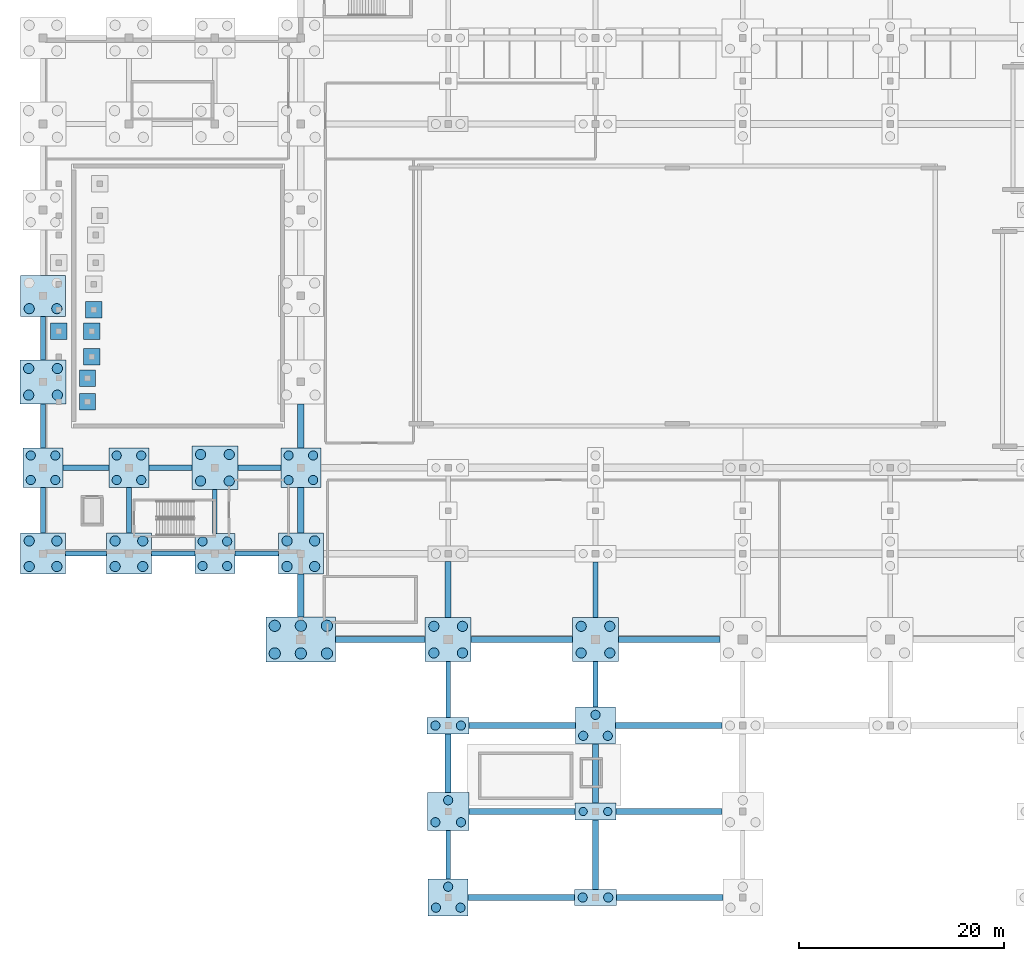
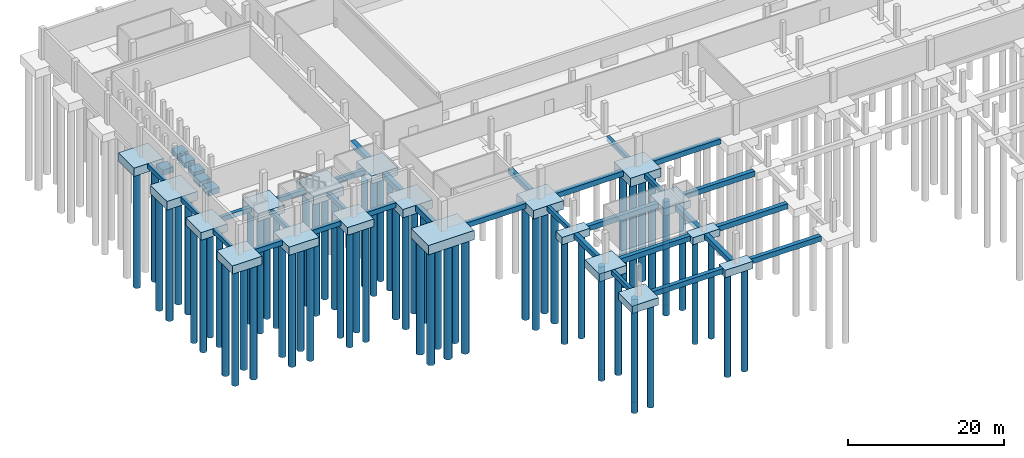
# One storey, part 1 of 26: 67 piles, 56 footings.
"""IFC4 building model written with IfcOpenShell, lengths in metres."""

from ifc_helpers import new_model, si_unit, direction, frame, origin, origin_2d, place, context, subcontext, project, spatial, rectangle, circle, extrude, material, material_profile, profile_set, type_object, element, save


model = new_model("IFC4")

# Units and contexts
model_context = context("Model", 3, precision=1e-05, world=origin(), true_north=direction((0.0, 1.0)))
body_context = subcontext(model_context, "Body", "Model", "MODEL_VIEW")
ifc_project = project(units=[si_unit("LENGTHUNIT", "METRE"), si_unit("AREAUNIT", "SQUARE_METRE"), si_unit("VOLUMEUNIT", "CUBIC_METRE"), si_unit("PLANEANGLEUNIT", "RADIAN"), si_unit("MASSUNIT", "GRAM", prefix="KILO"), si_unit("THERMODYNAMICTEMPERATUREUNIT", "KELVIN")], contexts=[model_context])

# Site, building, storey
site_placement = place(None, origin())
site = spatial("IfcSite", under=ifc_project, at=site_placement, CompositionType="ELEMENT")
building_placement = place(site_placement, origin())
building = spatial("IfcBuilding", under=site, at=building_placement, Name="Nduvali Passage Aquatics Centre", CompositionType="ELEMENT")
storey_placement = place(building_placement, frame((0.0, 0.0, -4.800048828125)))
storey = spatial("IfcBuildingStorey", under=building, at=storey_placement, Name="B01", CompositionType="ELEMENT", Elevation=-4.800048828125)

# Footings
ifc_material = material(Name="Concrete C40/50", Category="concrete")
footing_type_1 = type_object("IfcFootingType", Name="STR-GB-1", PredefinedType="FOOTING_BEAM", material=ifc_material)
for number, where, z_axis, x_axis, name in (
    (1, (46.75, 0.0, -0.7998046875), (0.0, 0.0, 1.0), (1.0, 0.0, 0.0), "Ground Beam X-0001"),
    (2, (61.25, 0.0, -0.7998046875), (0.0, 0.0, 1.0), (1.0, 0.0, 0.0), "Ground Beam X-0002"),
):
    element("IfcFooting", number, at=place(storey_placement, frame(where, z_axis=z_axis, x_axis=x_axis)), inside=storey, type_object=footing_type_1, Name=name, PredefinedType="FOOTING_BEAM", context=body_context, shape_type="SweptSolid", body=[
        extrude(rectangle(XDim=10.39990234375, YDim=0.60009765625, at=origin_2d()), origin(), (0.0, 0.0, 1.0), 0.800048828125),
    ])
for number, where, z_axis, x_axis, name in (
    (3, (46.8125, 8.39990234375, -0.7998046875), (0.0, 0.0, 1.0), (1.0, 0.0, 0.0), "Ground Beam X-0006"),
    (4, (61.1875, 8.39990234375, -0.7998046875), (0.0, 0.0, 1.0), (1.0, 0.0, 0.0), "Ground Beam X-0007"),
):
    element("IfcFooting", number, at=place(storey_placement, frame(where, z_axis=z_axis, x_axis=x_axis)), inside=storey, type_object=footing_type_1, Name=name, PredefinedType="FOOTING_BEAM", context=body_context, shape_type="SweptSolid", body=[
        extrude(rectangle(XDim=10.375, YDim=0.60009765625, at=origin_2d()), origin(), (0.0, 0.0, 1.0), 0.800048828125),
    ])
for number, where, z_axis, x_axis, name in (
    (5, (46.85009765625, 16.800048828125, -0.7998046875), (0.0, 0.0, 1.0), (1.0, 0.0, 0.0), "Ground Beam X-0011"),
    (6, (61.14990234375, 16.800048828125, -0.7998046875), (0.0, 0.0, 1.0), (1.0, 0.0, 0.0), "Ground Beam X-0012"),
):
    element("IfcFooting", number, at=place(storey_placement, frame(where, z_axis=z_axis, x_axis=x_axis)), inside=storey, type_object=footing_type_1, Name=name, PredefinedType="FOOTING_BEAM", context=body_context, shape_type="SweptSolid", body=[
        extrude(rectangle(XDim=10.39990234375, YDim=0.60009765625, at=origin_2d()), origin(), (0.0, 0.0, 1.0), 0.800048828125),
    ])
footing_1_placement = place(storey_placement, frame((32.97509765625, 25.199951171875, -0.7998046875), z_axis=(0.0, 0.0, 1.0), x_axis=(1.0, 0.0, 0.0)))
element("IfcFooting", 7, at=footing_1_placement, inside=storey, type_object=footing_type_1, Name="Ground Beam X-0018", PredefinedType="FOOTING_BEAM", context=body_context, shape_type="SweptSolid", body=[
    extrude(rectangle(XDim=8.75, YDim=0.60009765625, at=origin_2d()), origin(), (0.0, 0.0, 1.0), 0.800048828125),
])
for number, where, z_axis, x_axis, name in (
    (8, (46.800048828125, 25.199951171875, -0.7998046875), (0.0, 0.0, 1.0), (1.0, 0.0, 0.0), "Ground Beam X-0019"),
    (9, (61.199951171875, 25.199951171875, -0.7998046875), (0.0, 0.0, 1.0), (1.0, 0.0, 0.0), "Ground Beam X-0020"),
):
    element("IfcFooting", number, at=place(storey_placement, frame(where, z_axis=z_axis, x_axis=x_axis)), inside=storey, type_object=footing_type_1, Name=name, PredefinedType="FOOTING_BEAM", context=body_context, shape_type="SweptSolid", body=[
        extrude(rectangle(XDim=9.89990234375, YDim=0.60009765625, at=origin_2d()), origin(), (0.0, 0.0, 1.0), 0.800048828125),
    ])
footing_2_placement = place(storey_placement, frame((39.60009765625, 13.137451171875, -0.7998046875), z_axis=(0.0, 0.0, 1.0), x_axis=(0.0, 1.0, 0.0)))
element("IfcFooting", 10, at=footing_2_placement, inside=storey, type_object=footing_type_1, Name="Ground Beam Y-0166", PredefinedType="FOOTING_BEAM", context=body_context, shape_type="SweptSolid", body=[
    extrude(rectangle(XDim=5.72509765625, YDim=0.60009765625, at=origin_2d()), origin(), (0.0, 0.0, 1.0), 0.800048828125),
])
footing_3_placement = place(storey_placement, frame((39.60009765625, 30.10009765625, -0.7998046875), z_axis=(0.0, 0.0, 1.0), x_axis=(0.0, 1.0, 0.0)))
element("IfcFooting", 11, at=footing_3_placement, inside=storey, type_object=footing_type_1, Name="Ground Beam Y-0168", PredefinedType="FOOTING_BEAM", context=body_context, shape_type="SweptSolid", body=[
    extrude(rectangle(XDim=5.5, YDim=0.60009765625, at=origin_2d()), origin(), (0.0, 0.0, 1.0), 0.800048828125),
])
footing_4_placement = place(storey_placement, frame((54.0, 4.1875, -0.7998046875), z_axis=(0.0, 0.0, 1.0), x_axis=(0.0, 1.0, 0.0)))
element("IfcFooting", 12, at=footing_4_placement, inside=storey, type_object=footing_type_1, Name="Ground Beam Y-0177", PredefinedType="FOOTING_BEAM", context=body_context, shape_type="SweptSolid", body=[
    extrude(rectangle(XDim=6.77490234375, YDim=0.60009765625, at=origin_2d()), origin(), (0.0, 0.0, 1.0), 0.800048828125),
])
footing_5_placement = place(storey_placement, frame((54.0, 12.112548828125, -0.7998046875), z_axis=(0.0, 0.0, 1.0), x_axis=(0.0, 1.0, 0.0)))
element("IfcFooting", 13, at=footing_5_placement, inside=storey, type_object=footing_type_1, Name="Ground Beam Y-0178", PredefinedType="FOOTING_BEAM", context=body_context, shape_type="SweptSolid", body=[
    extrude(rectangle(XDim=5.77490234375, YDim=0.60009765625, at=origin_2d()), origin(), (0.0, 0.0, 1.0), 0.800048828125),
])
footing_type_2 = type_object("IfcFootingType", Name="STR-GB-2", PredefinedType="FOOTING_BEAM", material=ifc_material)
footing_6_placement = place(storey_placement, frame((4.199951171875, 33.60009765625, -0.75), z_axis=(0.0, 0.0, 1.0), x_axis=(1.0, 0.0, 0.0)))
element("IfcFooting", 14, at=footing_6_placement, inside=storey, type_object=footing_type_2, Name="Ground Beam X-0030", PredefinedType="FOOTING_BEAM", context=body_context, shape_type="SweptSolid", body=[
    extrude(rectangle(XDim=4.0, YDim=0.5, at=origin_2d()), origin(), (0.0, 0.0, 1.0), 0.75),
])
for number, where, z_axis, x_axis, name in (
    (15, (12.72509765625, 33.60009765625, -0.75), (0.0, 0.0, 1.0), (1.0, 0.0, 0.0), "Ground Beam X-0031"),
    (16, (20.875, 33.60009765625, -0.75), (0.0, 0.0, 1.0), (1.0, 0.0, 0.0), "Ground Beam X-0032"),
):
    element("IfcFooting", number, at=place(storey_placement, frame(where, z_axis=z_axis, x_axis=x_axis)), inside=storey, type_object=footing_type_2, Name=name, PredefinedType="FOOTING_BEAM", context=body_context, shape_type="SweptSolid", body=[
        extrude(rectangle(XDim=4.25, YDim=0.5, at=origin_2d()), origin(), (0.0, 0.0, 1.0), 0.75),
    ])
footing_7_placement = place(storey_placement, frame((4.199951171875, 42.0, -0.75), z_axis=(0.0, 0.0, 1.0), x_axis=(1.0, 0.0, 0.0)))
element("IfcFooting", 17, at=footing_7_placement, inside=storey, type_object=footing_type_2, Name="Ground Beam X-0046", PredefinedType="FOOTING_BEAM", context=body_context, shape_type="SweptSolid", body=[
    extrude(rectangle(XDim=4.5, YDim=0.5, at=origin_2d()), origin(), (0.0, 0.0, 1.0), 0.75),
])
for number, where, z_axis, x_axis, name in (
    (18, (12.449951171875, 42.0, -0.75), (0.0, 0.0, 1.0), (1.0, 0.0, 0.0), "Ground Beam X-0047"),
    (19, (21.14990234375, 42.0, -0.75), (0.0, 0.0, 1.0), (1.0, 0.0, 0.0), "Ground Beam X-0048"),
):
    element("IfcFooting", number, at=place(storey_placement, frame(where, z_axis=z_axis, x_axis=x_axis)), inside=storey, type_object=footing_type_2, Name=name, PredefinedType="FOOTING_BEAM", context=body_context, shape_type="SweptSolid", body=[
        extrude(rectangle(XDim=4.199951171875, YDim=0.5, at=origin_2d()), origin(), (0.0, 0.0, 1.0), 0.75),
    ])
footing_type_3 = type_object("IfcFootingType", Name="STR-GB-3", PredefinedType="FOOTING_BEAM", material=ifc_material)
footing_8_placement = place(storey_placement, frame((25.199951171875, 29.5, -0.89990234375), z_axis=(0.0, 0.0, 1.0), x_axis=(0.0, 1.0, 0.0)))
element("IfcFooting", 20, at=footing_8_placement, inside=storey, type_object=footing_type_3, Name="Ground Beam Y-0157", PredefinedType="FOOTING_BEAM", context=body_context, shape_type="SweptSolid", body=[
    extrude(rectangle(XDim=4.199951171875, YDim=0.64990234375, at=origin_2d()), origin(), (0.0, 0.0, 1.0), 0.89990234375),
])
footing_9_placement = place(storey_placement, frame((25.199951171875, 37.824951171875, -0.89990234375), z_axis=(0.0, 0.0, 1.0), x_axis=(0.0, 1.0, 0.0)))
element("IfcFooting", 21, at=footing_9_placement, inside=storey, type_object=footing_type_3, Name="Ground Beam Y-0158", PredefinedType="FOOTING_BEAM", context=body_context, shape_type="SweptSolid", body=[
    extrude(rectangle(XDim=4.449951171875, YDim=0.64990234375, at=origin_2d()), origin(), (0.0, 0.0, 1.0), 0.89990234375),
])
footing_10_placement = place(storey_placement, frame((25.199951171875, 46.10009765625, -0.89990234375), z_axis=(0.0, 0.0, 1.0), x_axis=(0.0, 1.0, 0.0)))
element("IfcFooting", 22, at=footing_10_placement, inside=storey, type_object=footing_type_3, Name="Ground Beam Y-0159", PredefinedType="FOOTING_BEAM", context=body_context, shape_type="SweptSolid", body=[
    extrude(rectangle(XDim=4.300048828125, YDim=0.64990234375, at=origin_2d()), origin(), (0.0, 0.0, 1.0), 0.89990234375),
])
footing_type_4 = type_object("IfcFootingType", Name="STR-GB-6", PredefinedType="FOOTING_BEAM", material=ifc_material)
footing_11_placement = place(storey_placement, frame((0.0, 37.824951171875, -0.69970703125), z_axis=(0.0, 0.0, 1.0), x_axis=(0.0, 1.0, 0.0)))
element("IfcFooting", 23, at=footing_11_placement, inside=storey, type_object=footing_type_4, Name="Ground Beam Y-0147", PredefinedType="FOOTING_BEAM", context=body_context, shape_type="SweptSolid", body=[
    extrude(rectangle(XDim=4.449951171875, YDim=0.449951171875, at=origin_2d()), origin(), (0.0, 0.0, 1.0), 0.699951171875),
])
footing_12_placement = place(storey_placement, frame((0.0, 46.10009765625, -0.69970703125), z_axis=(0.0, 0.0, 1.0), x_axis=(0.0, 1.0, 0.0)))
element("IfcFooting", 24, at=footing_12_placement, inside=storey, type_object=footing_type_4, Name="Ground Beam Y-0148", PredefinedType="FOOTING_BEAM", context=body_context, shape_type="SweptSolid", body=[
    extrude(rectangle(XDim=4.300048828125, YDim=0.449951171875, at=origin_2d()), origin(), (0.0, 0.0, 1.0), 0.699951171875),
])
footing_13_placement = place(storey_placement, frame((0.0, 54.675048828125, -0.69970703125), z_axis=(0.0, 0.0, 1.0), x_axis=(0.0, 1.0, 0.0)))
element("IfcFooting", 25, at=footing_13_placement, inside=storey, type_object=footing_type_4, Name="Ground Beam Y-0149", PredefinedType="FOOTING_BEAM", context=body_context, shape_type="SweptSolid", body=[
    extrude(rectangle(XDim=4.25, YDim=0.449951171875, at=origin_2d()), origin(), (0.0, 0.0, 1.0), 0.699951171875),
])
footing_14_placement = place(storey_placement, frame((8.39990234375, 37.824951171875, -0.69970703125), z_axis=(0.0, 0.0, 1.0), x_axis=(0.0, 1.0, 0.0)))
element("IfcFooting", 26, at=footing_14_placement, inside=storey, type_object=footing_type_4, Name="Ground Beam Y-0153", PredefinedType="FOOTING_BEAM", context=body_context, shape_type="SweptSolid", body=[
    extrude(rectangle(XDim=4.449951171875, YDim=0.449951171875, at=origin_2d()), origin(), (0.0, 0.0, 1.0), 0.699951171875),
])
footing_15_placement = place(storey_placement, frame((16.800048828125, 37.699951171875, -0.69970703125), z_axis=(0.0, 0.0, 1.0), x_axis=(0.0, 1.0, 0.0)))
element("IfcFooting", 27, at=footing_15_placement, inside=storey, type_object=footing_type_4, Name="Ground Beam Y-0155", PredefinedType="FOOTING_BEAM", context=body_context, shape_type="SweptSolid", body=[
    extrude(rectangle(XDim=4.300048828125, YDim=0.449951171875, at=origin_2d()), origin(), (0.0, 0.0, 1.0), 0.699951171875),
])
footing_16_placement = place(storey_placement, frame((39.60009765625, 4.16259765625, -0.69970703125), z_axis=(0.0, 0.0, 1.0), x_axis=(0.0, 1.0, 0.0)))
element("IfcFooting", 28, at=footing_16_placement, inside=storey, type_object=footing_type_4, Name="Ground Beam Y-0165", PredefinedType="FOOTING_BEAM", context=body_context, shape_type="SweptSolid", body=[
    extrude(rectangle(XDim=4.72509765625, YDim=0.449951171875, at=origin_2d()), origin(), (0.0, 0.0, 1.0), 0.699951171875),
])
footing_17_placement = place(storey_placement, frame((39.60009765625, 20.324951171875, -0.69970703125), z_axis=(0.0, 0.0, 1.0), x_axis=(0.0, 1.0, 0.0)))
element("IfcFooting", 29, at=footing_17_placement, inside=storey, type_object=footing_type_4, Name="Ground Beam Y-0167", PredefinedType="FOOTING_BEAM", context=body_context, shape_type="SweptSolid", body=[
    extrude(rectangle(XDim=5.449951171875, YDim=0.449951171875, at=origin_2d()), origin(), (0.0, 0.0, 1.0), 0.699951171875),
])
footing_18_placement = place(storey_placement, frame((54.0, 20.824951171875, -0.69970703125), z_axis=(0.0, 0.0, 1.0), x_axis=(0.0, 1.0, 0.0)))
element("IfcFooting", 30, at=footing_18_placement, inside=storey, type_object=footing_type_4, Name="Ground Beam Y-0179", PredefinedType="FOOTING_BEAM", context=body_context, shape_type="SweptSolid", body=[
    extrude(rectangle(XDim=4.449951171875, YDim=0.449951171875, at=origin_2d()), origin(), (0.0, 0.0, 1.0), 0.699951171875),
])
footing_19_placement = place(storey_placement, frame((54.0, 30.0625, -0.69970703125), z_axis=(0.0, 0.0, 1.0), x_axis=(0.0, 1.0, 0.0)))
element("IfcFooting", 31, at=footing_19_placement, inside=storey, type_object=footing_type_4, Name="Ground Beam Y-0180", PredefinedType="FOOTING_BEAM", context=body_context, shape_type="SweptSolid", body=[
    extrude(rectangle(XDim=5.425048828125, YDim=0.449951171875, at=origin_2d()), origin(), (0.0, 0.0, 1.0), 0.699951171875),
])
footing_type_5 = type_object("IfcFootingType", Name="STR-PC-2C", PredefinedType="PILE_CAP", material=ifc_material)
for number, where, z_axis, x_axis, name in (
    (32, (39.60009765625, 16.800048828125, -1.14990234375), (0.0, 0.0, 1.0), (1.0, 0.0, 0.0), "Pile Cap PC2C at (39.6, 16.8)"),
    (33, (54.0, 0.0, -1.14990234375), (0.0, 0.0, 1.0), (1.0, 0.0, 0.0), "Pile Cap PC2C at (54.0, 0.0)"),
):
    element("IfcFooting", number, at=place(storey_placement, frame(where, z_axis=z_axis, x_axis=x_axis)), inside=storey, type_object=footing_type_5, Name=name, PredefinedType="PILE_CAP", context=body_context, shape_type="SweptSolid", body=[
        extrude(rectangle(XDim=4.10009765625, YDim=1.60009765625, at=origin_2d()), origin(), (0.0, 0.0, 1.0), 1.14990234375),
    ])
footing_type_6 = type_object("IfcFootingType", Name="STR-PC-2D", PredefinedType="PILE_CAP", material=ifc_material)
footing_20_placement = place(storey_placement, frame((54.0, 8.39990234375, -1.1201171875), z_axis=(0.0, 0.0, 1.0), x_axis=(1.0, 0.0, 0.0)))
element("IfcFooting", 34, at=footing_20_placement, inside=storey, type_object=footing_type_6, Name="Pile Cap PC2D at (54.0, 8.4)", PredefinedType="PILE_CAP", context=body_context, shape_type="SweptSolid", body=[
    extrude(rectangle(XDim=4.0, YDim=1.64990234375, at=origin_2d()), origin(), (0.0, 0.0, 1.0), 1.1201171875),
])
footing_type_7 = type_object("IfcFootingType", Name="STR-PC-3A", PredefinedType="PILE_CAP", material=ifc_material)
for number, where, z_axis, x_axis, name in (
    (35, (39.60009765625, 0.0, -1.14990234375), (0.0, 0.0, 1.0), (1.0, 0.0, 0.0), "Pile Cap PC3A at (39.6, 0.0)"),
    (36, (54.0, 16.800048828125, -1.14990234375), (0.0, 0.0, 1.0), (1.0, 0.0, 0.0), "Pile Cap PC3A at (54.0, 16.8)"),
):
    element("IfcFooting", number, at=place(storey_placement, frame(where, z_axis=z_axis, x_axis=x_axis)), inside=storey, type_object=footing_type_7, Name=name, PredefinedType="PILE_CAP", context=body_context, shape_type="SweptSolid", body=[
        extrude(rectangle(XDim=3.89990234375, YDim=3.60009765625, at=origin_2d()), origin(), (0.0, 0.0, 1.0), 1.14990234375),
    ])
footing_type_8 = type_object("IfcFootingType", Name="STR-PC-3B", PredefinedType="PILE_CAP", material=ifc_material)
footing_21_placement = place(storey_placement, frame((39.60009765625, 8.39990234375, -1.19970703125), z_axis=(0.0, 0.0, 1.0), x_axis=(1.0, 0.0, 0.0)))
element("IfcFooting", 37, at=footing_21_placement, inside=storey, type_object=footing_type_8, Name="Pile Cap PC3B at (39.6, 8.4)", PredefinedType="PILE_CAP", context=body_context, shape_type="SweptSolid", body=[
    extrude(rectangle(XDim=4.050048828125, YDim=3.75, at=origin_2d()), origin(), (0.0, 0.0, 1.0), 1.199951171875),
])
footing_type_9 = type_object("IfcFootingType", Name="STR-PC-4A", PredefinedType="PILE_CAP", material=ifc_material)
for number, where, z_axis, x_axis, name in (
    (38, (0.0, 42.0, -1.19970703125), (0.0, 0.0, 1.0), (1.0, 0.0, 0.0), "Pile Cap PC4A at (0.0, 42.0)"),
    (39, (8.39990234375, 42.0, -1.19970703125), (0.0, 0.0, 1.0), (1.0, 0.0, 0.0), "Pile Cap PC4A at (8.4, 42.0)"),
    (40, (16.800048828125, 33.60009765625, -1.19970703125), (0.0, 0.0, 1.0), (1.0, 0.0, 0.0), "Pile Cap PC4A at (16.8, 33.6)"),
    (41, (25.199951171875, 42.0, -1.19970703125), (0.0, 0.0, 1.0), (1.0, 0.0, 0.0), "Pile Cap PC4A at (25.2, 42.0)"),
):
    element("IfcFooting", number, at=place(storey_placement, frame(where, z_axis=z_axis, x_axis=x_axis)), inside=storey, type_object=footing_type_9, Name=name, PredefinedType="PILE_CAP", context=body_context, shape_type="SweptSolid", body=[
        extrude(rectangle(XDim=3.89990234375, YDim=3.89990234375, at=origin_2d()), origin(), (0.0, 0.0, 1.0), 1.199951171875),
    ])
footing_type_10 = type_object("IfcFootingType", Name="STR-PC-4C", PredefinedType="PILE_CAP", material=ifc_material)
for number, where, z_axis, x_axis, name in (
    (42, (0.0, 33.60009765625, -1.2998046875), (0.0, 0.0, 1.0), (1.0, 0.0, 0.0), "Pile Cap PC4C at (0.0, 33.6)"),
    (43, (0.0, 58.800048828125, -1.2998046875), (0.0, 0.0, 1.0), (1.0, 0.0, 0.0), "Pile Cap PC4C at (0.0, 58.8)"),
    (44, (8.39990234375, 33.60009765625, -1.2998046875), (0.0, 0.0, 1.0), (1.0, 0.0, 0.0), "Pile Cap PC4C at (8.4, 33.6)"),
    (45, (25.199951171875, 33.60009765625, -1.2998046875), (0.0, 0.0, 1.0), (1.0, 0.0, 0.0), "Pile Cap PC4C at (25.2, 33.6)"),
):
    element("IfcFooting", number, at=place(storey_placement, frame(where, z_axis=z_axis, x_axis=x_axis)), inside=storey, type_object=footing_type_10, Name=name, PredefinedType="PILE_CAP", context=body_context, shape_type="SweptSolid", body=[
        extrude(rectangle(XDim=4.39990234375, YDim=4.0, at=origin_2d()), origin(), (0.0, 0.0, 1.0), 1.300048828125),
    ])
footing_type_11 = type_object("IfcFootingType", Name="STR-PC-4D", PredefinedType="PILE_CAP", material=ifc_material)
for number, where, z_axis, x_axis, name in (
    (46, (0.0, 50.39990234375, -1.35009765625), (0.0, 0.0, 1.0), (1.0, 0.0, 0.0), "Pile Cap PC4D at (0.0, 50.4)"),
    (47, (16.800048828125, 42.0, -1.35009765625), (0.0, 0.0, 1.0), (1.0, 0.0, 0.0), "Pile Cap PC4D at (16.8, 42.0)"),
    (48, (39.60009765625, 25.199951171875, -1.35009765625), (0.0, 0.0, 1.0), (1.0, 0.0, 0.0), "Pile Cap PC4D at (39.6, 25.2)"),
    (49, (54.0, 25.199951171875, -1.35009765625), (0.0, 0.0, 1.0), (1.0, 0.0, 0.0), "Pile Cap PC4D at (54.0, 25.2)"),
):
    element("IfcFooting", number, at=place(storey_placement, frame(where, z_axis=z_axis, x_axis=x_axis)), inside=storey, type_object=footing_type_11, Name=name, PredefinedType="PILE_CAP", context=body_context, shape_type="SweptSolid", body=[
        extrude(rectangle(XDim=4.5, YDim=4.300048828125, at=origin_2d()), origin(), (0.0, 0.0, 1.0), 1.35009765625),
    ])
footing_type_12 = type_object("IfcFootingType", Name="STR-PC-6B", PredefinedType="PILE_CAP", material=ifc_material)
footing_22_placement = place(storey_placement, frame((25.199951171875, 25.199951171875, -1.44970703125), z_axis=(0.0, 0.0, 1.0), x_axis=(1.0, 0.0, 0.0)))
element("IfcFooting", 50, at=footing_22_placement, inside=storey, type_object=footing_type_12, Name="Pile Cap PC6B at (25.2, 25.2)", PredefinedType="PILE_CAP", context=body_context, shape_type="SweptSolid", body=[
    extrude(rectangle(XDim=6.800048828125, YDim=4.39990234375, at=origin_2d()), origin(), (0.0, 0.0, 1.0), 1.449951171875),
])
footing_type_13 = type_object("IfcFootingType", Name="STR-PF-DIVE", PredefinedType="PAD_FOOTING", material=ifc_material)
for number, where, z_axis, x_axis, name in (
    (51, (1.550048828125, 55.35009765625, -0.85009765625), (0.0, 0.0, 1.0), (1.0, 0.0, 0.0), "Pad Footing PF5 at (1.6, 55.4)"),
    (52, (4.35009765625, 48.449951171875, -0.85009765625), (0.0, 0.0, 1.0), (1.0, 0.0, 0.0), "Pad Footing PF5 at (4.3, 48.5)"),
    (53, (4.35009765625, 50.75, -0.85009765625), (0.0, 0.0, 1.0), (1.0, 0.0, 0.0), "Pad Footing PF5 at (4.3, 50.8)"),
    (54, (4.75, 52.85009765625, -0.85009765625), (0.0, 0.0, 1.0), (1.0, 0.0, 0.0), "Pad Footing PF5 at (4.8, 52.9)"),
    (55, (4.75, 55.35009765625, -0.85009765625), (0.0, 0.0, 1.0), (1.0, 0.0, 0.0), "Pad Footing PF5 at (4.8, 55.4)"),
    (56, (4.949951171875, 57.449951171875, -0.85009765625), (0.0, 0.0, 1.0), (1.0, 0.0, 0.0), "Pad Footing PF5 at (5.0, 57.5)"),
):
    element("IfcFooting", number, at=place(storey_placement, frame(where, z_axis=z_axis, x_axis=x_axis)), inside=storey, type_object=footing_type_13, Name=name, PredefinedType="PAD_FOOTING", context=body_context, shape_type="SweptSolid", body=[
        extrude(rectangle(XDim=1.60009765625, YDim=1.60009765625, at=origin_2d()), origin(), (0.0, 0.0, 1.0), 0.85009765625),
    ])

# Piles
ifc_material_profile_1 = material_profile(ifc_material, circle(Radius=0.5, at=origin_2d()), Name="PILE D1000")
ifc_profile_set_1 = profile_set([ifc_material_profile_1], Name="Concrete C40/50")
pile_type_1 = type_object("IfcPileType", Name="STR-PILE-D1000", PredefinedType="BORED", material=ifc_profile_set_1)
for number, where, z_axis, x_axis, name in (
    (57, (-1.35009765625, 32.35009765625, -1.199951171875), (0.0, 0.0, -1.0), (1.0, 0.0, 0.0), "Bored Pile 000-1"),
    (58, (1.35009765625, 32.35009765625, -1.199951171875), (0.0, 0.0, -1.0), (1.0, 0.0, 0.0), "Bored Pile 000-2"),
    (59, (-1.35009765625, 34.85009765625, -1.199951171875), (0.0, 0.0, -1.0), (1.0, 0.0, 0.0), "Bored Pile 000-3"),
    (60, (1.35009765625, 34.85009765625, -1.199951171875), (0.0, 0.0, -1.0), (1.0, 0.0, 0.0), "Bored Pile 000-4"),
):
    element("IfcPile", number, at=place(storey_placement, frame(where, z_axis=z_axis, x_axis=x_axis)), inside=storey, type_object=pile_type_1, Name=name, PredefinedType="BORED", context=body_context, shape_type="SweptSolid", body=[
        extrude(circle(Radius=0.5, at=origin_2d()), origin(), (0.0, 0.0, 1.0), 18.0),
    ])
for number, where, z_axis, x_axis, name in (
    (61, (-1.39990234375, 49.10009765625, -1.25), (0.0, 0.0, -1.0), (1.0, 0.0, 0.0), "Bored Pile 002-1"),
    (62, (1.39990234375, 49.10009765625, -1.25), (0.0, 0.0, -1.0), (1.0, 0.0, 0.0), "Bored Pile 002-2"),
    (63, (-1.39990234375, 51.699951171875, -1.25), (0.0, 0.0, -1.0), (1.0, 0.0, 0.0), "Bored Pile 002-3"),
    (64, (1.39990234375, 51.699951171875, -1.25), (0.0, 0.0, -1.0), (1.0, 0.0, 0.0), "Bored Pile 002-4"),
):
    element("IfcPile", number, at=place(storey_placement, frame(where, z_axis=z_axis, x_axis=x_axis)), inside=storey, type_object=pile_type_1, Name=name, PredefinedType="BORED", context=body_context, shape_type="SweptSolid", body=[
        extrude(circle(Radius=0.5, at=origin_2d()), origin(), (0.0, 0.0, 1.0), 17.949951171875),
    ])
for number, where, z_axis, x_axis, name in (
    (65, (-1.35009765625, 57.550048828125, -1.199951171875), (0.0, 0.0, -1.0), (1.0, 0.0, 0.0), "Bored Pile 003-1"),
    (66, (1.35009765625, 57.550048828125, -1.199951171875), (0.0, 0.0, -1.0), (1.0, 0.0, 0.0), "Bored Pile 003-2"),
    (67, (7.050048828125, 32.35009765625, -1.199951171875), (0.0, 0.0, -1.0), (1.0, 0.0, 0.0), "Bored Pile 027-1"),
    (68, (9.75, 32.35009765625, -1.199951171875), (0.0, 0.0, -1.0), (1.0, 0.0, 0.0), "Bored Pile 027-2"),
    (69, (7.050048828125, 34.85009765625, -1.199951171875), (0.0, 0.0, -1.0), (1.0, 0.0, 0.0), "Bored Pile 027-3"),
    (70, (9.75, 34.85009765625, -1.199951171875), (0.0, 0.0, -1.0), (1.0, 0.0, 0.0), "Bored Pile 027-4"),
):
    element("IfcPile", number, at=place(storey_placement, frame(where, z_axis=z_axis, x_axis=x_axis)), inside=storey, type_object=pile_type_1, Name=name, PredefinedType="BORED", context=body_context, shape_type="SweptSolid", body=[
        extrude(circle(Radius=0.5, at=origin_2d()), origin(), (0.0, 0.0, 1.0), 18.0),
    ])
for number, where, z_axis, x_axis, name in (
    (71, (15.39990234375, 40.699951171875, -1.25), (0.0, 0.0, -1.0), (1.0, 0.0, 0.0), "Bored Pile 032-1"),
    (72, (18.199951171875, 40.699951171875, -1.25), (0.0, 0.0, -1.0), (1.0, 0.0, 0.0), "Bored Pile 032-2"),
    (73, (15.39990234375, 43.300048828125, -1.25), (0.0, 0.0, -1.0), (1.0, 0.0, 0.0), "Bored Pile 032-3"),
    (74, (18.199951171875, 43.300048828125, -1.25), (0.0, 0.0, -1.0), (1.0, 0.0, 0.0), "Bored Pile 032-4"),
):
    element("IfcPile", number, at=place(storey_placement, frame(where, z_axis=z_axis, x_axis=x_axis)), inside=storey, type_object=pile_type_1, Name=name, PredefinedType="BORED", context=body_context, shape_type="SweptSolid", body=[
        extrude(circle(Radius=0.5, at=origin_2d()), origin(), (0.0, 0.0, 1.0), 17.949951171875),
    ])
for number, where, z_axis, x_axis, name in (
    (75, (23.85009765625, 32.35009765625, -1.199951171875), (0.0, 0.0, -1.0), (1.0, 0.0, 0.0), "Bored Pile 036-1"),
    (76, (26.550048828125, 32.35009765625, -1.199951171875), (0.0, 0.0, -1.0), (1.0, 0.0, 0.0), "Bored Pile 036-2"),
    (77, (23.85009765625, 34.85009765625, -1.199951171875), (0.0, 0.0, -1.0), (1.0, 0.0, 0.0), "Bored Pile 036-3"),
    (78, (26.550048828125, 34.85009765625, -1.199951171875), (0.0, 0.0, -1.0), (1.0, 0.0, 0.0), "Bored Pile 036-4"),
):
    element("IfcPile", number, at=place(storey_placement, frame(where, z_axis=z_axis, x_axis=x_axis)), inside=storey, type_object=pile_type_1, Name=name, PredefinedType="BORED", context=body_context, shape_type="SweptSolid", body=[
        extrude(circle(Radius=0.5, at=origin_2d()), origin(), (0.0, 0.0, 1.0), 18.0),
    ])
for number, where, z_axis, x_axis, name in (
    (79, (38.199951171875, 23.89990234375, -1.25), (0.0, 0.0, -1.0), (1.0, 0.0, 0.0), "Bored Pile 047-1"),
    (80, (41.0, 23.89990234375, -1.25), (0.0, 0.0, -1.0), (1.0, 0.0, 0.0), "Bored Pile 047-2"),
    (81, (38.199951171875, 26.5, -1.25), (0.0, 0.0, -1.0), (1.0, 0.0, 0.0), "Bored Pile 047-3"),
    (82, (41.0, 26.5, -1.25), (0.0, 0.0, -1.0), (1.0, 0.0, 0.0), "Bored Pile 047-4"),
    (83, (52.60009765625, 23.89990234375, -1.25), (0.0, 0.0, -1.0), (1.0, 0.0, 0.0), "Bored Pile 061-1"),
    (84, (55.39990234375, 23.89990234375, -1.25), (0.0, 0.0, -1.0), (1.0, 0.0, 0.0), "Bored Pile 061-2"),
    (85, (52.60009765625, 26.5, -1.25), (0.0, 0.0, -1.0), (1.0, 0.0, 0.0), "Bored Pile 061-3"),
    (86, (55.39990234375, 26.5, -1.25), (0.0, 0.0, -1.0), (1.0, 0.0, 0.0), "Bored Pile 061-4"),
):
    element("IfcPile", number, at=place(storey_placement, frame(where, z_axis=z_axis, x_axis=x_axis)), inside=storey, type_object=pile_type_1, Name=name, PredefinedType="BORED", context=body_context, shape_type="SweptSolid", body=[
        extrude(circle(Radius=0.5, at=origin_2d()), origin(), (0.0, 0.0, 1.0), 17.949951171875),
    ])
ifc_material_profile_2 = material_profile(ifc_material, circle(Radius=0.550048828125, at=origin_2d()), Name="PILE D1100")
ifc_profile_set_2 = profile_set([ifc_material_profile_2], Name="Concrete C40/50")
pile_type_2 = type_object("IfcPileType", Name="STR-PILE-D1100", PredefinedType="BORED", material=ifc_profile_set_2)
for number, where, z_axis, x_axis, name in (
    (87, (22.64990234375, 23.85009765625, -1.349853515625), (0.0, 0.0, -1.0), (1.0, 0.0, 0.0), "Bored Pile 035-1"),
    (88, (25.199951171875, 23.85009765625, -1.349853515625), (0.0, 0.0, -1.0), (1.0, 0.0, 0.0), "Bored Pile 035-2"),
    (89, (27.75, 23.85009765625, -1.349853515625), (0.0, 0.0, -1.0), (1.0, 0.0, 0.0), "Bored Pile 035-3"),
    (90, (22.64990234375, 26.550048828125, -1.349853515625), (0.0, 0.0, -1.0), (1.0, 0.0, 0.0), "Bored Pile 035-4"),
    (91, (25.199951171875, 26.550048828125, -1.349853515625), (0.0, 0.0, -1.0), (1.0, 0.0, 0.0), "Bored Pile 035-5"),
    (92, (27.75, 26.550048828125, -1.349853515625), (0.0, 0.0, -1.0), (1.0, 0.0, 0.0), "Bored Pile 035-6"),
):
    element("IfcPile", number, at=place(storey_placement, frame(where, z_axis=z_axis, x_axis=x_axis)), inside=storey, type_object=pile_type_2, Name=name, PredefinedType="BORED", context=body_context, shape_type="SweptSolid", body=[
        extrude(circle(Radius=0.550048828125, at=origin_2d()), origin(), (0.0, 0.0, 1.0), 17.85009765625),
    ])
ifc_material_profile_3 = material_profile(ifc_material, circle(Radius=0.39990234375, at=origin_2d()), Name="PILE D800")
ifc_profile_set_3 = profile_set([ifc_material_profile_3], Name="Concrete C40/50")
pile_type_3 = type_object("IfcPileType", Name="STR-PILE-D800", PredefinedType="BORED", material=ifc_profile_set_3)
for number, where, z_axis, x_axis, name in (
    (93, (52.800048828125, 8.39990234375, -1.02001953125), (0.0, 0.0, -1.0), (1.0, 0.0, 0.0), "Bored Pile 059-1"),
    (94, (55.199951171875, 8.39990234375, -1.02001953125), (0.0, 0.0, -1.0), (1.0, 0.0, 0.0), "Bored Pile 059-2"),
):
    element("IfcPile", number, at=place(storey_placement, frame(where, z_axis=z_axis, x_axis=x_axis)), inside=storey, type_object=pile_type_3, Name=name, PredefinedType="BORED", context=body_context, shape_type="SweptSolid", body=[
        extrude(circle(Radius=0.39990234375, at=origin_2d()), origin(), (0.0, 0.0, 1.0), 16.179931640625),
    ])
ifc_material_profile_4 = material_profile(ifc_material, circle(Radius=0.449951171875, at=origin_2d()), Name="PILE D900")
ifc_profile_set_4 = profile_set([ifc_material_profile_4], Name="Concrete C40/50")
pile_type_4 = type_object("IfcPileType", Name="STR-PILE-D900", PredefinedType="BORED", material=ifc_profile_set_4)
for number, where, z_axis, x_axis, name in (
    (95, (-1.199951171875, 40.800048828125, -1.099853515625), (0.0, 0.0, -1.0), (1.0, 0.0, 0.0), "Bored Pile 001-1"),
    (96, (1.199951171875, 40.800048828125, -1.099853515625), (0.0, 0.0, -1.0), (1.0, 0.0, 0.0), "Bored Pile 001-2"),
    (97, (-1.199951171875, 43.199951171875, -1.099853515625), (0.0, 0.0, -1.0), (1.0, 0.0, 0.0), "Bored Pile 001-3"),
    (98, (1.199951171875, 43.199951171875, -1.099853515625), (0.0, 0.0, -1.0), (1.0, 0.0, 0.0), "Bored Pile 001-4"),
    (99, (7.199951171875, 40.800048828125, -1.099853515625), (0.0, 0.0, -1.0), (1.0, 0.0, 0.0), "Bored Pile 028-1"),
    (100, (9.60009765625, 40.800048828125, -1.099853515625), (0.0, 0.0, -1.0), (1.0, 0.0, 0.0), "Bored Pile 028-2"),
    (101, (7.199951171875, 43.199951171875, -1.099853515625), (0.0, 0.0, -1.0), (1.0, 0.0, 0.0), "Bored Pile 028-3"),
    (102, (9.60009765625, 43.199951171875, -1.099853515625), (0.0, 0.0, -1.0), (1.0, 0.0, 0.0), "Bored Pile 028-4"),
    (103, (15.60009765625, 32.39990234375, -1.099853515625), (0.0, 0.0, -1.0), (1.0, 0.0, 0.0), "Bored Pile 031-1"),
    (104, (18.0, 32.39990234375, -1.099853515625), (0.0, 0.0, -1.0), (1.0, 0.0, 0.0), "Bored Pile 031-2"),
    (105, (15.60009765625, 34.800048828125, -1.099853515625), (0.0, 0.0, -1.0), (1.0, 0.0, 0.0), "Bored Pile 031-3"),
    (106, (18.0, 34.800048828125, -1.099853515625), (0.0, 0.0, -1.0), (1.0, 0.0, 0.0), "Bored Pile 031-4"),
    (107, (24.0, 40.800048828125, -1.099853515625), (0.0, 0.0, -1.0), (1.0, 0.0, 0.0), "Bored Pile 037-1"),
    (108, (26.39990234375, 40.800048828125, -1.099853515625), (0.0, 0.0, -1.0), (1.0, 0.0, 0.0), "Bored Pile 037-2"),
    (109, (24.0, 43.199951171875, -1.099853515625), (0.0, 0.0, -1.0), (1.0, 0.0, 0.0), "Bored Pile 037-3"),
    (110, (26.39990234375, 43.199951171875, -1.099853515625), (0.0, 0.0, -1.0), (1.0, 0.0, 0.0), "Bored Pile 037-4"),
):
    element("IfcPile", number, at=place(storey_placement, frame(where, z_axis=z_axis, x_axis=x_axis)), inside=storey, type_object=pile_type_4, Name=name, PredefinedType="BORED", context=body_context, shape_type="SweptSolid", body=[
        extrude(circle(Radius=0.449951171875, at=origin_2d()), origin(), (0.0, 0.0, 1.0), 18.10009765625),
    ])
for number, where, z_axis, x_axis, name in (
    (111, (38.39990234375, -1.0, -1.050048828125), (0.0, 0.0, -1.0), (1.0, 0.0, 0.0), "Bored Pile 044-1"),
    (112, (40.800048828125, -1.0, -1.050048828125), (0.0, 0.0, -1.0), (1.0, 0.0, 0.0), "Bored Pile 044-2"),
    (113, (39.60009765625, 1.050048828125, -1.050048828125), (0.0, 0.0, -1.0), (1.0, 0.0, 0.0), "Bored Pile 044-3"),
):
    element("IfcPile", number, at=place(storey_placement, frame(where, z_axis=z_axis, x_axis=x_axis)), inside=storey, type_object=pile_type_4, Name=name, PredefinedType="BORED", context=body_context, shape_type="SweptSolid", body=[
        extrude(circle(Radius=0.449951171875, at=origin_2d()), origin(), (0.0, 0.0, 1.0), 16.14990234375),
    ])
for number, where, z_axis, x_axis, name in (
    (114, (38.35009765625, 7.35009765625, -1.099853515625), (0.0, 0.0, -1.0), (1.0, 0.0, 0.0), "Bored Pile 045-1"),
    (115, (40.85009765625, 7.35009765625, -1.099853515625), (0.0, 0.0, -1.0), (1.0, 0.0, 0.0), "Bored Pile 045-2"),
    (116, (39.60009765625, 9.5, -1.099853515625), (0.0, 0.0, -1.0), (1.0, 0.0, 0.0), "Bored Pile 045-3"),
):
    element("IfcPile", number, at=place(storey_placement, frame(where, z_axis=z_axis, x_axis=x_axis)), inside=storey, type_object=pile_type_4, Name=name, PredefinedType="BORED", context=body_context, shape_type="SweptSolid", body=[
        extrude(circle(Radius=0.449951171875, at=origin_2d()), origin(), (0.0, 0.0, 1.0), 16.10009765625),
    ])
for number, where, z_axis, x_axis, name in (
    (117, (38.35009765625, 16.800048828125, -1.050048828125), (0.0, 0.0, -1.0), (1.0, 0.0, 0.0), "Bored Pile 046-1"),
    (118, (40.85009765625, 16.800048828125, -1.050048828125), (0.0, 0.0, -1.0), (1.0, 0.0, 0.0), "Bored Pile 046-2"),
    (119, (52.75, 0.0, -1.050048828125), (0.0, 0.0, -1.0), (1.0, 0.0, 0.0), "Bored Pile 058-1"),
    (120, (55.25, 0.0, -1.050048828125), (0.0, 0.0, -1.0), (1.0, 0.0, 0.0), "Bored Pile 058-2"),
    (121, (52.800048828125, 15.800048828125, -1.050048828125), (0.0, 0.0, -1.0), (1.0, 0.0, 0.0), "Bored Pile 060-1"),
    (122, (55.199951171875, 15.800048828125, -1.050048828125), (0.0, 0.0, -1.0), (1.0, 0.0, 0.0), "Bored Pile 060-2"),
    (123, (54.0, 17.85009765625, -1.050048828125), (0.0, 0.0, -1.0), (1.0, 0.0, 0.0), "Bored Pile 060-3"),
):
    element("IfcPile", number, at=place(storey_placement, frame(where, z_axis=z_axis, x_axis=x_axis)), inside=storey, type_object=pile_type_4, Name=name, PredefinedType="BORED", context=body_context, shape_type="SweptSolid", body=[
        extrude(circle(Radius=0.449951171875, at=origin_2d()), origin(), (0.0, 0.0, 1.0), 16.14990234375),
    ])

save(model, "model.ifc")
